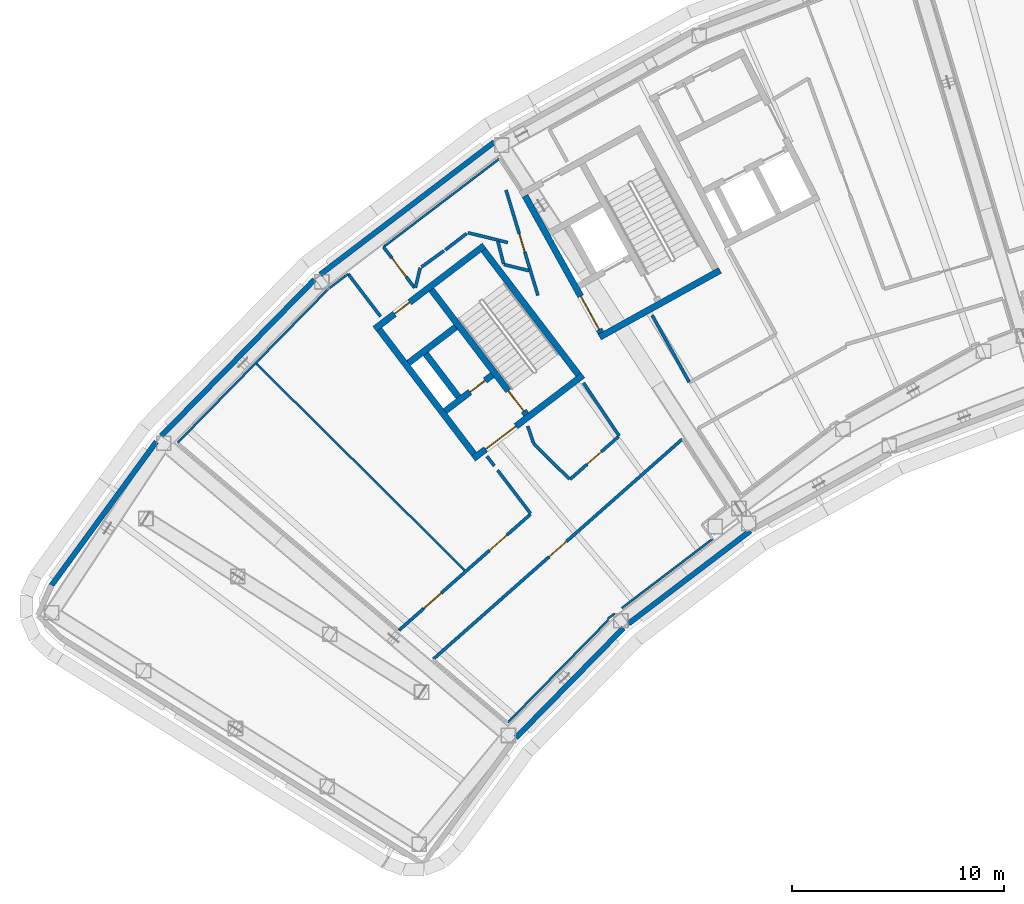
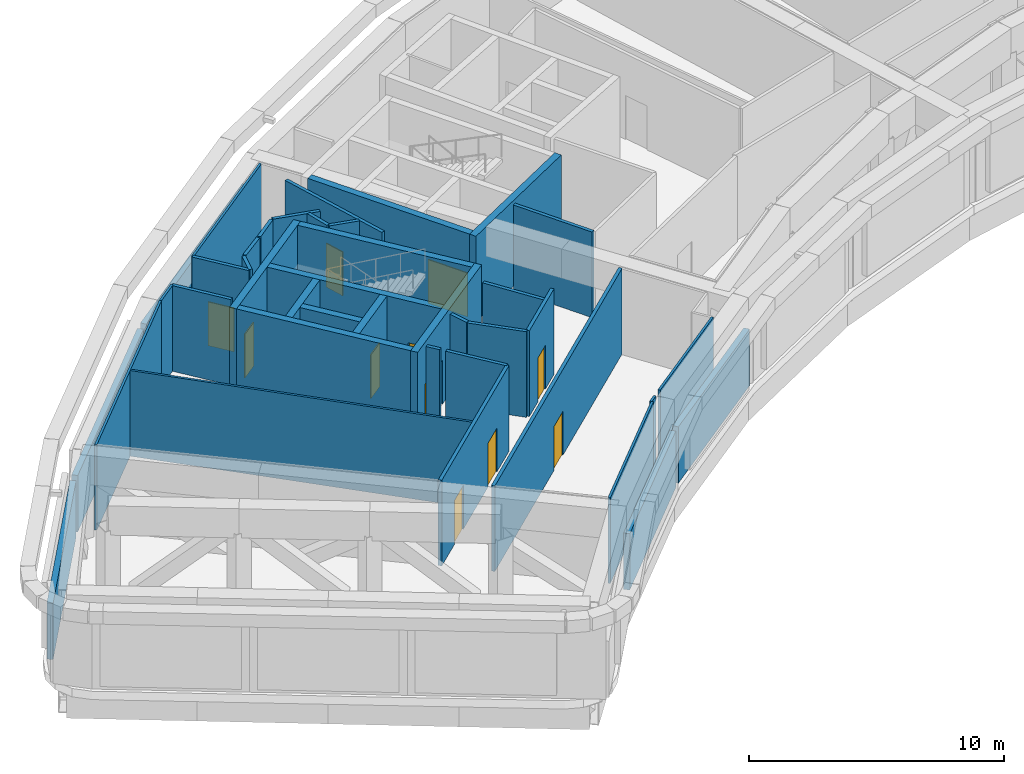
# One storey, part 7 of 25: 40 walls, 11 doors, 11 openings.
"""IFC4 building model written with IfcOpenShell, lengths in metres."""

from ifc_helpers import new_model, si_unit, direction, frame, frame_2d, origin, place, context, subcontext, project, spatial, rectangle, extrude, material, layer, layer_set, type_object, element, fill, save


model = new_model("IFC4")

# Units and contexts
model_context = context("Model", 3, precision=1e-05, world=origin(), true_north=direction((0.0, 1.0)))
body_context = subcontext(model_context, "Body", "Model", "MODEL_VIEW")
ifc_project = project(units=[si_unit("LENGTHUNIT", "METRE"), si_unit("AREAUNIT", "SQUARE_METRE"), si_unit("VOLUMEUNIT", "CUBIC_METRE"), si_unit("PLANEANGLEUNIT", "RADIAN"), si_unit("MASSUNIT", "GRAM", prefix="KILO")], contexts=[model_context])

# Site, building, storey
site_placement = place(None, origin())
site = spatial("IfcSite", under=ifc_project, at=site_placement, CompositionType="ELEMENT")
building_placement = place(site_placement, origin())
building = spatial("IfcBuilding", under=site, at=building_placement, Name="Tuul Gate Civic Tower", CompositionType="ELEMENT")
storey_placement = place(building_placement, frame((0.0, 0.0, 133.699951171875)))
storey = spatial("IfcBuildingStorey", under=building, at=storey_placement, Name="Plant and refuge floor 4", CompositionType="ELEMENT", Elevation=133.699951171875)

# Wall, opening, door
ifc_material_1 = material(Name="Concrete C50/60", Category="concrete")
ifc_layer_1 = layer(ifc_material_1, 0.300048828125)
ifc_layer_set_1 = layer_set([ifc_layer_1], Name="Concrete C50/60")
wall_type_1 = type_object("IfcWallType", Name="Core wall C50/60", PredefinedType="SHEAR", material=ifc_layer_set_1)
wall_1_placement = place(storey_placement, frame((-31.19091796875, -13.669677734375, 0.0), z_axis=(0.0, 0.0, 1.0), x_axis=(-0.795606717756, -0.605813461934, 0.0)))
wall_1 = element("IfcWall", 1, at=wall_1_placement, inside=storey, type_object=wall_type_1, Name="Core wall", PredefinedType="SHEAR", context=body_context, shape_type="SweptSolid", body=[
    extrude(rectangle(XDim=6.5, YDim=0.300048828125, at=frame_2d((3.25, 0.0))), origin(), (0.0, 0.0, 1.0), 4.10009765625),
])
opening_1_placement = place(wall_1_placement, frame((3.97509765625, 0.0, 0.0)))
opening_1 = element("IfcOpeningElement", 2, at=opening_1_placement, cuts=wall_1, Name="Opening LB-W1-LOBBY-1", PredefinedType="OPENING", context=body_context, shape_type="SweptSolid", body=[
    extrude(rectangle(XDim=1.800048828125, YDim=2.10009765625, at=frame_2d((0.89990234375, 1.050048828125))), frame((0.0, 0.16015625, 0.0), z_axis=(0.0, -1.0, 0.0), x_axis=(1.0, 0.0, 0.0)), (0.0, 0.0, 1.0), 0.320068359375),
])
ifc_material_2 = material(Name="Steel", Category="steel")
door_type_1 = type_object("IfcDoorType", Name="Lobby door", OperationType="DOUBLE_DOOR_SINGLE_SWING", PredefinedType="DOOR", material=ifc_material_2)
door_1_placement = place(opening_1_placement, origin())
door_1 = element("IfcDoor", 3, at=door_1_placement, inside=storey, type_object=door_type_1, Name="Lobby door W1-LOBBY", OperationType="DOUBLE_DOOR_SINGLE_SWING", OverallHeight=2.10009765625, OverallWidth=1.800048828125, PredefinedType="DOOR", context=body_context, shape_type="SweptSolid", body=[
    extrude(rectangle(XDim=1.800048828125, YDim=2.10009765625, at=frame_2d((0.89990234375, 1.050048828125))), frame((0.0, 0.02490234375, 0.0), z_axis=(0.0, -1.0, 0.0), x_axis=(1.0, 0.0, 0.0)), (0.0, 0.0, 1.0), 0.050048828125),
])
fill(opening_1, door_1)

wall_2_placement = place(storey_placement, frame((-35.470947265625, -13.66064453125, 0.0), z_axis=(0.0, 0.0, 1.0), x_axis=(-0.795615822227, -0.605801504968, 0.0)))
wall_2 = element("IfcWall", 4, at=wall_2_placement, inside=storey, type_object=wall_type_1, Name="Core wall", PredefinedType="SHEAR", context=body_context, shape_type="SweptSolid", body=[
    extrude(rectangle(XDim=2.800048828125, YDim=0.300048828125, at=frame_2d((1.39990234375, 0.0))), origin(), (0.0, 0.0, 1.0), 4.10009765625),
])
opening_2_placement = place(wall_2_placement, frame((0.425048828125, 0.0, 0.0)))
opening_2 = element("IfcOpeningElement", 5, at=opening_2_placement, cuts=wall_2, Name="Opening FB-W1A1", PredefinedType="OPENING", context=body_context, shape_type="SweptSolid", body=[
    extrude(rectangle(XDim=0.89990234375, YDim=2.10009765625, at=frame_2d((0.449951171875, 1.050048828125))), frame((0.0, 0.16015625, 0.0), z_axis=(0.0, -1.0, 0.0), x_axis=(1.0, 0.0, 0.0)), (0.0, 0.0, 1.0), 0.320068359375),
])
ifc_material_3 = material(Name="Steel", Category="steel")
door_type_2 = type_object("IfcDoorType", Name="Store door", OperationType="NOTDEFINED", PredefinedType="DOOR", material=ifc_material_3)
door_2_placement = place(opening_2_placement, frame((0.89990234375, 0.0, 0.0), z_axis=(0.0, 0.0, 1.0), x_axis=(-1.0, 0.0, 0.0)))
door_2 = element("IfcDoor", 6, at=door_2_placement, inside=storey, type_object=door_type_2, Name="Store door W1A1", OperationType="SINGLE_SWING_RIGHT", OverallHeight=2.10009765625, OverallWidth=0.89990234375, PredefinedType="DOOR", context=body_context, shape_type="SweptSolid", body=[
    extrude(rectangle(XDim=0.89990234375, YDim=2.10009765625, at=frame_2d((0.449951171875, 1.050048828125))), frame((0.0, 0.02490234375, 0.0), z_axis=(0.0, -1.0, 0.0), x_axis=(1.0, 0.0, 0.0)), (0.0, 0.0, 1.0), 0.050048828125),
])
fill(opening_2, door_2)

# Wall
wall_3_placement = place(storey_placement, frame((-37.197509765625, -11.39306640625, 0.0), z_axis=(0.0, 0.0, 1.0), x_axis=(-0.795583820278, -0.605843531707, 0.0)))
element("IfcWall", 7, at=wall_3_placement, inside=storey, type_object=wall_type_1, Name="Core wall", PredefinedType="SHEAR", context=body_context, shape_type="SweptSolid", body=[
    extrude(rectangle(XDim=2.7998046875, YDim=0.300048828125, at=frame_2d((1.39990234375, 0.0))), origin(), (0.0, 0.0, 1.0), 4.10009765625),
])

# Wall, opening, door
wall_4_placement = place(storey_placement, frame((-35.855224609375, -7.543212890625, 0.0), z_axis=(0.0, 0.0, 1.0), x_axis=(-0.79563860527, -0.605771582202, 0.0)))
wall_4 = element("IfcWall", 8, at=wall_4_placement, inside=storey, type_object=wall_type_1, Name="Core wall", PredefinedType="SHEAR", context=body_context, shape_type="SweptSolid", body=[
    extrude(rectangle(XDim=6.5, YDim=0.300048828125, at=frame_2d((3.25, 0.0))), origin(), (0.0, 0.0, 1.0), 4.10009765625),
])
opening_3_placement = place(wall_4_placement, frame((4.425048828125, 0.0, 0.0)))
opening_3 = element("IfcOpeningElement", 9, at=opening_3_placement, cuts=wall_4, Name="Opening PB-D26", PredefinedType="OPENING", context=body_context, shape_type="SweptSolid", body=[
    extrude(rectangle(XDim=0.89990234375, YDim=2.10009765625, at=frame_2d((0.449951171875, 1.050048828125))), frame((0.0, 0.16015625, 0.0), z_axis=(0.0, -1.0, 0.0), x_axis=(1.0, 0.0, 0.0)), (0.0, 0.0, 1.0), 0.320068359375),
])
ifc_material_4 = material(Name="Timber door leaf", Category="wood")
door_type_3 = type_object("IfcDoorType", Name="Door D09", OperationType="NOTDEFINED", PredefinedType="DOOR", material=ifc_material_4)
door_3_placement = place(opening_3_placement, origin())
door_3 = element("IfcDoor", 10, at=door_3_placement, inside=storey, type_object=door_type_3, Name="Door PB-D26", OperationType="SINGLE_SWING_LEFT", OverallHeight=2.10009765625, OverallWidth=0.89990234375, PredefinedType="DOOR", context=body_context, shape_type="SweptSolid", body=[
    extrude(rectangle(XDim=0.89990234375, YDim=2.10009765625, at=frame_2d((0.449951171875, 1.050048828125))), frame((0.0, 0.02490234375, 0.0), z_axis=(0.0, -1.0, 0.0), x_axis=(1.0, 0.0, 0.0)), (0.0, 0.0, 1.0), 0.050048828125),
])
fill(opening_3, door_3)

# Wall
wall_5_placement = place(storey_placement, frame((-31.401123046875, -13.64111328125, 0.0), z_axis=(0.0, 0.0, 1.0), x_axis=(-0.605769822278, 0.795639945213, 0.0)))
element("IfcWall", 11, at=wall_5_placement, inside=storey, type_object=wall_type_1, Name="Core wall", PredefinedType="SHEAR", context=body_context, shape_type="SweptSolid", body=[
    extrude(rectangle(XDim=7.39990234375, YDim=0.300048828125, at=frame_2d((3.699951171875, 0.0))), origin(), (0.0, 0.0, 1.0), 4.10009765625),
])

# Wall, opening, door
wall_6_placement = place(storey_placement, frame((-33.867431640625, -15.51904296875, 0.0), z_axis=(0.0, 0.0, 1.0), x_axis=(-0.605769822278, 0.795639945213, 0.0)))
wall_6 = element("IfcWall", 12, at=wall_6_placement, inside=storey, type_object=wall_type_1, Name="Core wall", PredefinedType="SHEAR", context=body_context, shape_type="SweptSolid", body=[
    extrude(rectangle(XDim=7.39990234375, YDim=0.300048828125, at=frame_2d((3.699951171875, 0.0))), origin(), (0.0, 0.0, 1.0), 4.10009765625),
])
opening_4_placement = place(wall_6_placement, frame((0.199951171875, 0.0, 0.0)))
opening_4 = element("IfcOpeningElement", 13, at=opening_4_placement, cuts=wall_6, Name="Opening SD-ST-1", PredefinedType="OPENING", context=body_context, shape_type="SweptSolid", body=[
    extrude(rectangle(XDim=1.199951171875, YDim=2.10009765625, at=frame_2d((0.60009765625, 1.050048828125))), frame((0.0, 0.16015625, 0.0), z_axis=(0.0, -1.0, 0.0), x_axis=(1.0, 0.0, 0.0)), (0.0, 0.0, 1.0), 0.320068359375),
])
ifc_material_5 = material(Name="Steel", Category="steel")
door_type_4 = type_object("IfcDoorType", Name="Stair door", OperationType="NOTDEFINED", PredefinedType="DOOR", material=ifc_material_5)
door_4_placement = place(opening_4_placement, origin())
door_4 = element("IfcDoor", 14, at=door_4_placement, inside=storey, type_object=door_type_4, Name="Stair door ST-1", OperationType="SINGLE_SWING_LEFT", OverallHeight=2.10009765625, OverallWidth=1.199951171875, PredefinedType="DOOR", context=body_context, shape_type="SweptSolid", body=[
    extrude(rectangle(XDim=1.199951171875, YDim=2.10009765625, at=frame_2d((0.60009765625, 1.050048828125))), frame((0.0, 0.02490234375, 0.0), z_axis=(0.0, -1.0, 0.0), x_axis=(1.0, 0.0, 0.0)), (0.0, 0.0, 1.0), 0.050048828125),
])
fill(opening_4, door_4)

# Walls
wall_7_placement = place(storey_placement, frame((-37.073486328125, -14.6923828125, 0.0), z_axis=(0.0, 0.0, 1.0), x_axis=(-0.605728760074, 0.79567120673, 0.0)))
element("IfcWall", 15, at=wall_7_placement, inside=storey, type_object=wall_type_1, Name="Core wall", PredefinedType="SHEAR", context=body_context, shape_type="SweptSolid", body=[
    extrude(rectangle(XDim=2.550048828125, YDim=0.300048828125, at=frame_2d((1.27490234375, 0.0))), origin(), (0.0, 0.0, 1.0), 4.10009765625),
])
wall_8_placement = place(storey_placement, frame((-36.333984375, -17.397216796875, 0.0), z_axis=(0.0, 0.0, 1.0), x_axis=(-0.605753921168, 0.795652051458, 0.0)))
element("IfcWall", 16, at=wall_8_placement, inside=storey, type_object=wall_type_1, Name="Core wall", PredefinedType="SHEAR", context=body_context, shape_type="SweptSolid", body=[
    extrude(rectangle(XDim=7.400146484375, YDim=0.300048828125, at=frame_2d((3.7001953125, 0.0))), origin(), (0.0, 0.0, 1.0), 4.10009765625),
])
wall_9_placement = place(storey_placement, frame((-24.711669921875, -8.7158203125, 0.0), z_axis=(0.0, 0.0, 1.0), x_axis=(-0.874629909008, -0.484791215132, 0.0)))
element("IfcWall", 17, at=wall_9_placement, inside=storey, type_object=wall_type_1, Name="Core wall", PredefinedType="SHEAR", context=body_context, shape_type="SweptSolid", body=[
    extrude(rectangle(XDim=6.5, YDim=0.300048828125, at=frame_2d((3.25, 0.0))), origin(), (0.0, 0.0, 1.0), 4.10009765625),
])

# Wall, opening, door
wall_10_placement = place(storey_placement, frame((-30.33837890625, -11.6630859375, 0.0), z_axis=(0.0, 0.0, 1.0), x_axis=(-0.484751894226, 0.874651702704, 0.0)))
wall_10 = element("IfcWall", 18, at=wall_10_placement, inside=storey, type_object=wall_type_1, Name="Core wall", PredefinedType="SHEAR", context=body_context, shape_type="SweptSolid", body=[
    extrude(rectangle(XDim=7.39990234375, YDim=0.300048828125, at=frame_2d((3.699951171875, 0.0))), origin(), (0.0, 0.0, 1.0), 4.10009765625),
])
opening_5_placement = place(wall_10_placement, frame((0.175048828125, 0.0, 0.0)))
opening_5 = element("IfcOpeningElement", 19, at=opening_5_placement, cuts=wall_10, Name="Opening LB-W2-FLOBBY-1", PredefinedType="OPENING", context=body_context, shape_type="SweptSolid", body=[
    extrude(rectangle(XDim=1.800048828125, YDim=2.10009765625, at=frame_2d((0.89990234375, 1.050048828125))), frame((0.0, 0.16015625, 0.0), z_axis=(0.0, -1.0, 0.0), x_axis=(1.0, 0.0, 0.0)), (0.0, 0.0, 1.0), 0.320068359375),
])
door_5_placement = place(opening_5_placement, frame((1.800048828125, 0.0, 0.0), z_axis=(0.0, 0.0, 1.0), x_axis=(-1.0, 0.0, 0.0)))
door_5 = element("IfcDoor", 20, at=door_5_placement, inside=storey, type_object=door_type_1, Name="Lobby door W2-FLOBBY", OperationType="DOUBLE_DOOR_SINGLE_SWING", OverallHeight=2.10009765625, OverallWidth=1.800048828125, PredefinedType="DOOR", context=body_context, shape_type="SweptSolid", body=[
    extrude(rectangle(XDim=1.800048828125, YDim=2.10009765625, at=frame_2d((0.900146484375, 1.050048828125))), frame((0.0, 0.02490234375, 0.0), z_axis=(0.0, -1.0, 0.0), x_axis=(1.0, 0.0, 0.0)), (0.0, 0.0, 1.0), 0.050048828125),
])
fill(opening_5, door_5)

ifc_material_6 = material(Name="Gypsum board partition")
ifc_layer_2 = layer(ifc_material_6, 0.14990234375)
ifc_layer_set_2 = layer_set([ifc_layer_2], Name="Gypsum board partition")
wall_type_2 = type_object("IfcWallType", Name="Corridor wall P150", PredefinedType="PARTITIONING", material=ifc_layer_set_2)
wall_11_placement = place(storey_placement, frame((-34.822509765625, -4.91650390625, 0.0), z_axis=(0.0, 0.0, 1.0), x_axis=(0.289799150074, -0.957087484307, 0.0)))
wall_11 = element("IfcWall", 21, at=wall_11_placement, inside=storey, type_object=wall_type_2, Name="p005", PredefinedType="PARTITIONING", context=body_context, shape_type="SweptSolid", body=[
    extrude(rectangle(XDim=5.206298828125, YDim=0.14990234375, at=frame_2d((2.60302734375, 0.0))), origin(), (0.0, 0.0, 1.0), 4.10009765625),
])
opening_6_placement = place(wall_11_placement, frame((2.15283203125, 0.0, 0.0)))
opening_6 = element("IfcOpeningElement", 22, at=opening_6_placement, cuts=wall_11, Name="Opening PB-D02", PredefinedType="OPENING", context=body_context, shape_type="SweptSolid", body=[
    extrude(rectangle(XDim=0.89990234375, YDim=2.10009765625, at=frame_2d((0.449951171875, 1.050048828125))), frame((0.0, 0.0849609375, 0.0), z_axis=(0.0, -1.0, 0.0), x_axis=(1.0, 0.0, 0.0)), (0.0, 0.0, 1.0), 0.169921875),
])
door_6_placement = place(opening_6_placement, origin())
door_6 = element("IfcDoor", 23, at=door_6_placement, inside=storey, type_object=door_type_3, Name="Door PB-D02", OperationType="SINGLE_SWING_RIGHT", OverallHeight=2.10009765625, OverallWidth=0.89990234375, PredefinedType="DOOR", context=body_context, shape_type="SweptSolid", body=[
    extrude(rectangle(XDim=0.89990234375, YDim=2.10009765625, at=frame_2d((0.449951171875, 1.050048828125))), frame((0.0, 0.02490234375, 0.0), z_axis=(0.0, -1.0, 0.0), x_axis=(1.0, 0.0, 0.0)), (0.0, 0.0, 1.0), 0.050048828125),
])
fill(opening_6, door_6)

# Walls
wall_12_placement = place(storey_placement, frame((-34.923583984375, -8.434326171875, 0.0), z_axis=(0.0, 0.0, 1.0), x_axis=(0.970779178177, -0.239974555355, 0.0)))
element("IfcWall", 24, at=wall_12_placement, inside=storey, type_object=wall_type_2, Name="p010", PredefinedType="PARTITIONING", context=body_context, shape_type="SweptSolid", body=[
    extrude(rectangle(XDim=1.234130859375, YDim=0.14990234375, at=frame_2d((0.6171875, 0.0))), origin(), (0.0, 0.0, 1.0), 4.10009765625),
])
wall_13_placement = place(storey_placement, frame((-34.93798828125, -8.41015625, 0.0), z_axis=(0.0, 0.0, 1.0), x_axis=(-0.244191685708, 0.969726982522, 0.0)))
element("IfcWall", 25, at=wall_13_placement, inside=storey, type_object=wall_type_2, Name="p012", PredefinedType="PARTITIONING", context=body_context, shape_type="SweptSolid", body=[
    extrude(rectangle(XDim=1.10986328125, YDim=0.14990234375, at=frame_2d((0.554931640625, 0.0))), origin(), (0.0, 0.0, 1.0), 4.10009765625),
])
wall_14_placement = place(storey_placement, frame((-36.623046875, -6.93310546875, 0.0), z_axis=(0.0, 0.0, 1.0), x_axis=(0.970856461528, -0.239661701381, 0.0)))
element("IfcWall", 26, at=wall_14_placement, inside=storey, type_object=wall_type_2, Name="p013", PredefinedType="PARTITIONING", context=body_context, shape_type="SweptSolid", body=[
    extrude(rectangle(XDim=1.939697265625, YDim=0.14990234375, at=frame_2d((0.9697265625, 0.0))), origin(), (0.0, 0.0, 1.0), 4.10009765625),
])
wall_15_placement = place(storey_placement, frame((-37.695068359375, -7.74951171875, 0.0), z_axis=(0.0, 0.0, 1.0), x_axis=(0.791898480074, 0.610652763244, 0.0)))
element("IfcWall", 27, at=wall_15_placement, inside=storey, type_object=wall_type_2, Name="p014", PredefinedType="PARTITIONING", context=body_context, shape_type="SweptSolid", body=[
    extrude(rectangle(XDim=1.27685546875, YDim=0.14990234375, at=frame_2d((0.638427734375, 0.0))), origin(), (0.0, 0.0, 1.0), 4.10009765625),
])
wall_16_placement = place(storey_placement, frame((-38.81591796875, -8.55419921875, 0.0), z_axis=(0.0, 0.0, 1.0), x_axis=(0.809896277218, 0.586573115774, 0.0)))
element("IfcWall", 28, at=wall_16_placement, inside=storey, type_object=wall_type_2, Name="p015", PredefinedType="PARTITIONING", context=body_context, shape_type="SweptSolid", body=[
    extrude(rectangle(XDim=1.30859375, YDim=0.14990234375, at=frame_2d((0.654296875, 0.0))), origin(), (0.0, 0.0, 1.0), 4.10009765625),
])
wall_17_placement = place(storey_placement, frame((-39.10888671875, -9.529541015625, 0.0), z_axis=(0.0, 0.0, 1.0), x_axis=(0.239861327151, 0.970807160943, 0.0)))
element("IfcWall", 29, at=wall_17_placement, inside=storey, type_object=wall_type_2, Name="p016", PredefinedType="PARTITIONING", context=body_context, shape_type="SweptSolid", body=[
    extrude(rectangle(XDim=0.967041015625, YDim=0.14990234375, at=frame_2d((0.4833984375, 0.0))), origin(), (0.0, 0.0, 1.0), 4.10009765625),
])

# Wall, opening, door
wall_18_placement = place(storey_placement, frame((-40.61328125, -7.608642578125, 0.0), z_axis=(0.0, 0.0, 1.0), x_axis=(0.605882355096, -0.795554254456, 0.0)))
wall_18 = element("IfcWall", 30, at=wall_18_placement, inside=storey, type_object=wall_type_2, Name="p017", PredefinedType="PARTITIONING", context=body_context, shape_type="SweptSolid", body=[
    extrude(rectangle(XDim=2.423828125, YDim=0.14990234375, at=frame_2d((1.2119140625, 0.0))), origin(), (0.0, 0.0, 1.0), 4.10009765625),
])
opening_7_placement = place(wall_18_placement, frame((0.661865234375, 0.0, 0.0)))
opening_7 = element("IfcOpeningElement", 31, at=opening_7_placement, cuts=wall_18, Name="Opening PB-D25", PredefinedType="OPENING", context=body_context, shape_type="SweptSolid", body=[
    extrude(rectangle(XDim=1.10009765625, YDim=2.10009765625, at=frame_2d((0.550048828125, 1.050048828125))), frame((0.0, 0.0849609375, 0.0), z_axis=(0.0, -1.0, 0.0), x_axis=(1.0, 0.0, 0.0)), (0.0, 0.0, 1.0), 0.169921875),
])
ifc_material_7 = material(Name="Timber door leaf", Category="wood")
door_type_5 = type_object("IfcDoorType", Name="Door D11", OperationType="NOTDEFINED", PredefinedType="DOOR", material=ifc_material_7)
door_7_placement = place(opening_7_placement, origin())
door_7 = element("IfcDoor", 32, at=door_7_placement, inside=storey, type_object=door_type_5, Name="Door PB-D25", OperationType="SINGLE_SWING_RIGHT", OverallHeight=2.10009765625, OverallWidth=1.10009765625, PredefinedType="DOOR", context=body_context, shape_type="SweptSolid", body=[
    extrude(rectangle(XDim=1.10009765625, YDim=2.10009765625, at=frame_2d((0.550048828125, 1.050048828125))), frame((0.0, 0.02490234375, 0.0), z_axis=(0.0, -1.0, 0.0), x_axis=(1.0, 0.0, 0.0)), (0.0, 0.0, 1.0), 0.050048828125),
])
fill(opening_7, door_7)

# Wall, openings, doors
wall_19_placement = place(storey_placement, frame((-39.877197265625, -25.720458984375, 0.0), z_axis=(0.0, 0.0, 1.0), x_axis=(0.749754472493, 0.661716125674, 0.0)))
wall_19 = element("IfcWall", 33, at=wall_19_placement, inside=storey, type_object=wall_type_2, Name="p018", PredefinedType="PARTITIONING", context=body_context, shape_type="SweptSolid", body=[
    extrude(rectangle(XDim=8.288818359375, YDim=0.14990234375, at=frame_2d((4.14453125, 0.0))), origin(), (0.0, 0.0, 1.0), 4.10009765625),
])
opening_8_placement = place(wall_19_placement, frame((5.6982421875, 0.0, 0.0)))
opening_8 = element("IfcOpeningElement", 34, at=opening_8_placement, cuts=wall_19, Name="Opening PB-D231", PredefinedType="OPENING", context=body_context, shape_type="SweptSolid", body=[
    extrude(rectangle(XDim=1.10009765625, YDim=2.10009765625, at=frame_2d((0.550048828125, 1.050048828125))), frame((0.0, 0.0849609375, 0.0), z_axis=(0.0, -1.0, 0.0), x_axis=(1.0, 0.0, 0.0)), (0.0, 0.0, 1.0), 0.169921875),
])
opening_9_placement = place(wall_19_placement, frame((1.553955078125, 0.0, 0.0)))
opening_9 = element("IfcOpeningElement", 35, at=opening_9_placement, cuts=wall_19, Name="Opening PB-D241", PredefinedType="OPENING", context=body_context, shape_type="SweptSolid", body=[
    extrude(rectangle(XDim=1.10009765625, YDim=2.10009765625, at=frame_2d((0.550048828125, 1.050048828125))), frame((0.0, 0.0849609375, 0.0), z_axis=(0.0, -1.0, 0.0), x_axis=(1.0, 0.0, 0.0)), (0.0, 0.0, 1.0), 0.169921875),
])
door_8_placement = place(opening_8_placement, origin())
door_8 = element("IfcDoor", 36, at=door_8_placement, inside=storey, type_object=door_type_5, Name="Door PB-D23", OperationType="SINGLE_SWING_RIGHT", OverallHeight=2.10009765625, OverallWidth=1.10009765625, PredefinedType="DOOR", context=body_context, shape_type="SweptSolid", body=[
    extrude(rectangle(XDim=1.10009765625, YDim=2.10009765625, at=frame_2d((0.550048828125, 1.050048828125))), frame((0.0, 0.02490234375, 0.0), z_axis=(0.0, -1.0, 0.0), x_axis=(1.0, 0.0, 0.0)), (0.0, 0.0, 1.0), 0.050048828125),
])
fill(opening_8, door_8)
door_9_placement = place(opening_9_placement, origin())
door_9 = element("IfcDoor", 37, at=door_9_placement, inside=storey, type_object=door_type_5, Name="Door PB-D24", OperationType="SINGLE_SWING_RIGHT", OverallHeight=2.10009765625, OverallWidth=1.10009765625, PredefinedType="DOOR", context=body_context, shape_type="SweptSolid", body=[
    extrude(rectangle(XDim=1.10009765625, YDim=2.10009765625, at=frame_2d((0.550048828125, 1.050048828125))), frame((0.0, 0.02490234375, 0.0), z_axis=(0.0, -1.0, 0.0), x_axis=(1.0, 0.0, 0.0)), (0.0, 0.0, 1.0), 0.050048828125),
])
fill(opening_9, door_9)

# Wall, opening, door
wall_20_placement = place(storey_placement, frame((-31.7900390625, -18.5830078125, 0.0), z_axis=(0.0, 0.0, 1.0), x_axis=(0.749760410768, 0.661709397277, 0.0)))
wall_20 = element("IfcWall", 38, at=wall_20_placement, inside=storey, type_object=wall_type_2, Name="p019", PredefinedType="PARTITIONING", context=body_context, shape_type="SweptSolid", body=[
    extrude(rectangle(XDim=3.0361328125, YDim=0.14990234375, at=frame_2d((1.51806640625, 0.0))), origin(), (0.0, 0.0, 1.0), 4.10009765625),
])
opening_10_placement = place(wall_20_placement, frame((1.068115234375, 0.0, 0.0)))
opening_10 = element("IfcOpeningElement", 39, at=opening_10_placement, cuts=wall_20, Name="Opening PB-D03", PredefinedType="OPENING", context=body_context, shape_type="SweptSolid", body=[
    extrude(rectangle(XDim=0.89990234375, YDim=2.10009765625, at=frame_2d((0.449951171875, 1.050048828125))), frame((0.0, 0.0849609375, 0.0), z_axis=(0.0, -1.0, 0.0), x_axis=(1.0, 0.0, 0.0)), (0.0, 0.0, 1.0), 0.169921875),
])
door_10_placement = place(opening_10_placement, origin())
door_10 = element("IfcDoor", 40, at=door_10_placement, inside=storey, type_object=door_type_3, Name="Door PB-D03", OperationType="SINGLE_SWING_RIGHT", OverallHeight=2.10009765625, OverallWidth=0.89990234375, PredefinedType="DOOR", context=body_context, shape_type="SweptSolid", body=[
    extrude(rectangle(XDim=0.89990234375, YDim=2.10009765625, at=frame_2d((0.449951171875, 1.050048828125))), frame((0.0, 0.02490234375, 0.0), z_axis=(0.0, -1.0, 0.0), x_axis=(1.0, 0.0, 0.0)), (0.0, 0.0, 1.0), 0.050048828125),
])
fill(opening_10, door_10)

# Walls
wall_21_placement = place(storey_placement, frame((-33.526611328125, -16.901123046875, 0.0), z_axis=(0.0, 0.0, 1.0), x_axis=(0.712636544819, -0.701533431127, 0.0)))
element("IfcWall", 41, at=wall_21_placement, inside=storey, type_object=wall_type_2, Name="p020", PredefinedType="PARTITIONING", context=body_context, shape_type="SweptSolid", body=[
    extrude(rectangle(XDim=2.396728515625, YDim=0.14990234375, at=frame_2d((1.1982421875, 0.0))), origin(), (0.0, 0.0, 1.0), 4.10009765625),
])
wall_22_placement = place(storey_placement, frame((-33.797607421875, -16.07763671875, 0.0), z_axis=(0.0, 0.0, 1.0), x_axis=(0.324662193918, -0.945830037502, 0.0)))
element("IfcWall", 42, at=wall_22_placement, inside=storey, type_object=wall_type_2, Name="p021", PredefinedType="PARTITIONING", context=body_context, shape_type="SweptSolid", body=[
    extrude(rectangle(XDim=0.849853515625, YDim=0.14990234375, at=frame_2d((0.4248046875, 0.0))), origin(), (0.0, 0.0, 1.0), 4.10009765625),
])
wall_23_placement = place(storey_placement, frame((-27.916015625, -10.8359375, 0.0), z_axis=(0.0, 0.0, 1.0), x_axis=(0.484200271086, -0.874957197514, 0.0)))
element("IfcWall", 43, at=wall_23_placement, inside=storey, type_object=wall_type_2, Name="p053", PredefinedType="PARTITIONING", context=body_context, shape_type="SweptSolid", body=[
    extrude(rectangle(XDim=3.608154296875, YDim=0.14990234375, at=frame_2d((1.80419921875, 0.0))), origin(), (0.0, 0.0, 1.0), 4.10009765625),
])

# Wall, opening, door
wall_24_placement = place(storey_placement, frame((-38.2626953125, -27.089111328125, 0.0), z_axis=(0.0, 0.0, 1.0), x_axis=(0.749314198957, 0.662214641367, 0.0)))
wall_24 = element("IfcWall", 44, at=wall_24_placement, inside=storey, type_object=wall_type_2, Name="p055", PredefinedType="PARTITIONING", context=body_context, shape_type="SweptSolid", body=[
    extrude(rectangle(XDim=15.7080078125, YDim=0.14990234375, at=frame_2d((7.85400390625, 0.0))), origin(), (0.0, 0.0, 1.0), 4.10009765625),
])
opening_11_placement = place(wall_24_placement, frame((7.30419921875, 0.0, 0.0)))
opening_11 = element("IfcOpeningElement", 45, at=opening_11_placement, cuts=wall_24, Name="Opening PB-D22", PredefinedType="OPENING", context=body_context, shape_type="SweptSolid", body=[
    extrude(rectangle(XDim=1.10009765625, YDim=2.10009765625, at=frame_2d((0.550048828125, 1.050048828125))), frame((0.0, 0.0849609375, 0.0), z_axis=(0.0, -1.0, 0.0), x_axis=(1.0, 0.0, 0.0)), (0.0, 0.0, 1.0), 0.169921875),
])
door_11_placement = place(opening_11_placement, frame((1.10009765625, 0.0, 0.0), z_axis=(0.0, 0.0, 1.0), x_axis=(-1.0, 0.0, 0.0)))
door_11 = element("IfcDoor", 46, at=door_11_placement, inside=storey, type_object=door_type_5, Name="Door PB-D22", OperationType="SINGLE_SWING_LEFT", OverallHeight=2.10009765625, OverallWidth=1.10009765625, PredefinedType="DOOR", context=body_context, shape_type="SweptSolid", body=[
    extrude(rectangle(XDim=1.10009765625, YDim=2.10009765625, at=frame_2d((0.550048828125, 1.050048828125))), frame((0.0, 0.02490234375, 0.0), z_axis=(0.0, -1.0, 0.0), x_axis=(1.0, 0.0, 0.0)), (0.0, 0.0, 1.0), 0.050048828125),
])
fill(opening_11, door_11)

# Walls
wall_25_placement = place(storey_placement, frame((-42.283935546875, -8.880615234375, 0.0), z_axis=(0.0, 0.0, 1.0), x_axis=(0.605790210611, -0.795624421902, 0.0)))
element("IfcWall", 47, at=wall_25_placement, inside=storey, type_object=wall_type_2, Name="p057", PredefinedType="PARTITIONING", context=body_context, shape_type="SweptSolid", body=[
    extrude(rectangle(XDim=2.52978515625, YDim=0.14990234375, at=frame_2d((1.264892578125, 0.0))), origin(), (0.0, 0.0, 1.0), 4.10009765625),
])
wall_26_placement = place(storey_placement, frame((-35.722412109375, -17.498291015625, 0.0), z_axis=(0.0, 0.0, 1.0), x_axis=(0.605773833965, -0.795636890851, 0.0)))
element("IfcWall", 48, at=wall_26_placement, inside=storey, type_object=wall_type_2, Name="p058", PredefinedType="PARTITIONING", context=body_context, shape_type="SweptSolid", body=[
    extrude(rectangle(XDim=0.573486328125, YDim=0.14990234375, at=frame_2d((0.28662109375, 0.0))), origin(), (0.0, 0.0, 1.0), 4.10009765625),
])
wall_27_placement = place(storey_placement, frame((-35.221923828125, -18.15576171875, 0.0), z_axis=(0.0, 0.0, 1.0), x_axis=(0.605800736585, -0.795616407292, 0.0)))
element("IfcWall", 49, at=wall_27_placement, inside=storey, type_object=wall_type_2, Name="p059", PredefinedType="PARTITIONING", context=body_context, shape_type="SweptSolid", body=[
    extrude(rectangle(XDim=2.578857421875, YDim=0.14990234375, at=frame_2d((1.28955078125, 0.0))), origin(), (0.0, 0.0, 1.0), 4.10009765625),
])
ifc_material_8 = material(Name="Gypsum board partition")
ifc_layer_3 = layer(ifc_material_8, 0.14990234375)
ifc_layer_set_3 = layer_set([ifc_layer_3], Name="Gypsum board partition")
wall_type_3 = type_object("IfcWallType", Name="Corridor wall P150 3450 HIGH", PredefinedType="PARTITIONING", material=ifc_layer_set_3)
wall_28_placement = place(storey_placement, frame((-31.16455078125, -14.029052734375, 0.0), z_axis=(0.0, 0.0, 1.0), x_axis=(0.558304502548, -0.829636114471, 0.0)))
element("IfcWall", 50, at=wall_28_placement, inside=storey, type_object=wall_type_3, Name="p011", PredefinedType="PARTITIONING", context=body_context, shape_type="SweptSolid", body=[
    extrude(rectangle(XDim=3.012451171875, YDim=0.14990234375, at=frame_2d((1.50634765625, 0.0))), origin(), (0.0, 0.0, 1.0), 3.449951171875),
])
ifc_material_9 = material(Name="Precast concrete C40/50", Category="concrete")
ifc_layer_4 = layer(ifc_material_9, 0.25)
ifc_layer_set_4 = layer_set([ifc_layer_4], Name="Precast concrete C40/50")
wall_type_4 = type_object("IfcWallType", Name="External wall 2700 HIGH", PredefinedType="STANDARD", material=ifc_layer_set_4)
wall_29_placement = place(storey_placement, frame((-35.3779296875, -2.6484375, 0.0), z_axis=(0.0, 0.0, 1.0), x_axis=(-0.795610108216, -0.605809009264, 0.0)))
element("IfcWall", 51, at=wall_29_placement, inside=storey, type_object=wall_type_4, Name="External wall", PredefinedType="STANDARD", context=body_context, shape_type="SweptSolid", body=[
    extrude(rectangle(XDim=10.334228515625, YDim=0.25, at=frame_2d((5.1669921875, 0.0))), origin(), (0.0, 0.0, 1.0), 2.699951171875),
])
wall_30_placement = place(storey_placement, frame((-43.8740234375, -9.152587890625, 0.0), z_axis=(0.0, 0.0, 1.0), x_axis=(-0.700045198442, -0.714098536715, 0.0)))
element("IfcWall", 52, at=wall_30_placement, inside=storey, type_object=wall_type_4, Name="External wall", PredefinedType="STANDARD", context=body_context, shape_type="SweptSolid", body=[
    extrude(rectangle(XDim=10.336669921875, YDim=0.25, at=frame_2d((5.16845703125, 0.0))), origin(), (0.0, 0.0, 1.0), 2.699951171875),
])
wall_31_placement = place(storey_placement, frame((-51.347900390625, -16.812255859375, 0.0), z_axis=(0.0, 0.0, 1.0), x_axis=(-0.589761454052, -0.807577505453, 0.0)))
element("IfcWall", 53, at=wall_31_placement, inside=storey, type_object=wall_type_4, Name="External wall", PredefinedType="STANDARD", context=body_context, shape_type="SweptSolid", body=[
    extrude(rectangle(XDim=8.422119140625, YDim=0.25, at=frame_2d((4.2109375, 0.0))), origin(), (0.0, 0.0, 1.0), 2.699951171875),
])
wall_32_placement = place(storey_placement, frame((-34.35693359375, -30.80029296875, 0.0), z_axis=(0.0, 0.0, 1.0), x_axis=(0.700036408395, 0.714107153669, 0.0)))
element("IfcWall", 54, at=wall_32_placement, inside=storey, type_object=wall_type_4, Name="External wall", PredefinedType="STANDARD", context=body_context, shape_type="SweptSolid", body=[
    extrude(rectangle(XDim=7.252685546875, YDim=0.25, at=frame_2d((3.62646484375, 0.0))), origin(), (0.0, 0.0, 1.0), 2.699951171875),
])
wall_33_placement = place(storey_placement, frame((-29.04296875, -25.4140625, 0.0), z_axis=(0.0, 0.0, 1.0), x_axis=(0.795569309585, 0.605862586439, 0.0)))
element("IfcWall", 55, at=wall_33_placement, inside=storey, type_object=wall_type_4, Name="External wall", PredefinedType="STANDARD", context=body_context, shape_type="SweptSolid", body=[
    extrude(rectangle(XDim=7.249267578125, YDim=0.25, at=frame_2d((3.62451171875, 0.0))), origin(), (0.0, 0.0, 1.0), 2.699951171875),
])
ifc_material_10 = material(Name="Gypsum board partition")
ifc_layer_5 = layer(ifc_material_10, 0.10009765625)
ifc_layer_set_5 = layer_set([ifc_layer_5], Name="Gypsum board partition")
wall_type_5 = type_object("IfcWallType", Name="Partition P100", PredefinedType="PARTITIONING", material=ifc_layer_set_5)
wall_34_placement = place(storey_placement, frame((-46.65185546875, -13.093017578125, 0.0), z_axis=(0.0, 0.0, 1.0), x_axis=(0.710182042719, -0.704018086557, 0.0)))
element("IfcWall", 56, at=wall_34_placement, inside=storey, type_object=wall_type_5, Name="p056", PredefinedType="PARTITIONING", context=body_context, shape_type="SweptSolid", body=[
    extrude(rectangle(XDim=13.9814453125, YDim=0.10009765625, at=frame_2d((6.99072265625, 0.0))), origin(), (0.0, 0.0, 1.0), 4.10009765625),
])
wall_35_placement = place(storey_placement, frame((-40.61328125, -7.608642578125, 0.0), z_axis=(0.0, 0.0, 1.0), x_axis=(0.79566468801, 0.605737322817, 0.0)))
element("IfcWall", 57, at=wall_35_placement, inside=storey, type_object=wall_type_5, Name="p065", PredefinedType="PARTITIONING", context=body_context, shape_type="SweptSolid", body=[
    extrude(rectangle(XDim=6.87841796875, YDim=0.10009765625, at=frame_2d((3.439208984375, 0.0))), origin(), (0.0, 0.0, 1.0), 4.10009765625),
])
wall_36_placement = place(storey_placement, frame((-25.056884765625, -21.40380859375, 0.0), z_axis=(0.0, 0.0, 1.0), x_axis=(-0.795614228016, -0.605803598684, 0.0)))
element("IfcWall", 58, at=wall_36_placement, inside=storey, type_object=wall_type_5, Name="p120", PredefinedType="PARTITIONING", context=body_context, shape_type="SweptSolid", body=[
    extrude(rectangle(XDim=5.403564453125, YDim=0.10009765625, at=frame_2d((2.70166015625, 0.0))), origin(), (0.0, 0.0, 1.0), 4.10009765625),
])
wall_37_placement = place(storey_placement, frame((-29.691650390625, -24.9326171875, 0.0), z_axis=(0.0, 0.0, 1.0), x_axis=(-0.795485425099, -0.605972720884, 0.0)))
element("IfcWall", 59, at=wall_37_placement, inside=storey, type_object=wall_type_5, Name="p121", PredefinedType="PARTITIONING", context=body_context, shape_type="SweptSolid", body=[
    extrude(rectangle(XDim=0.41748046875, YDim=0.10009765625, at=frame_2d((0.208740234375, 0.0))), origin(), (0.0, 0.0, 1.0), 4.10009765625),
])
wall_38_placement = place(storey_placement, frame((-29.98681640625, -25.23388671875, 0.0), z_axis=(0.0, 0.0, 1.0), x_axis=(-0.699945470534, -0.71419628834, 0.0)))
element("IfcWall", 60, at=wall_38_placement, inside=storey, type_object=wall_type_5, Name="p122", PredefinedType="PARTITIONING", context=body_context, shape_type="SweptSolid", body=[
    extrude(rectangle(XDim=6.7841796875, YDim=0.10009765625, at=frame_2d((3.39208984375, 0.0))), origin(), (0.0, 0.0, 1.0), 4.10009765625),
])
wall_39_placement = place(storey_placement, frame((-50.337890625, -16.853515625, 0.0), z_axis=(0.0, 0.0, 1.0), x_axis=(0.699995011624, 0.714147732407, 0.0)))
element("IfcWall", 61, at=wall_39_placement, inside=storey, type_object=wall_type_5, Name="p124", PredefinedType="PARTITIONING", context=body_context, shape_type="SweptSolid", body=[
    extrude(rectangle(XDim=10.160400390625, YDim=0.10009765625, at=frame_2d((5.080078125, 0.0))), origin(), (0.0, 0.0, 1.0), 4.10009765625),
])
wall_40_placement = place(storey_placement, frame((-43.2255859375, -9.597412109375, 0.0), z_axis=(0.0, 0.0, 1.0), x_axis=(0.795696843697, 0.605695082472, 0.0)))
element("IfcWall", 62, at=wall_40_placement, inside=storey, type_object=wall_type_5, Name="p125", PredefinedType="PARTITIONING", context=body_context, shape_type="SweptSolid", body=[
    extrude(rectangle(XDim=1.183349609375, YDim=0.10009765625, at=frame_2d((0.591796875, 0.0))), origin(), (0.0, 0.0, 1.0), 4.10009765625),
])

save(model, "model.ifc")
